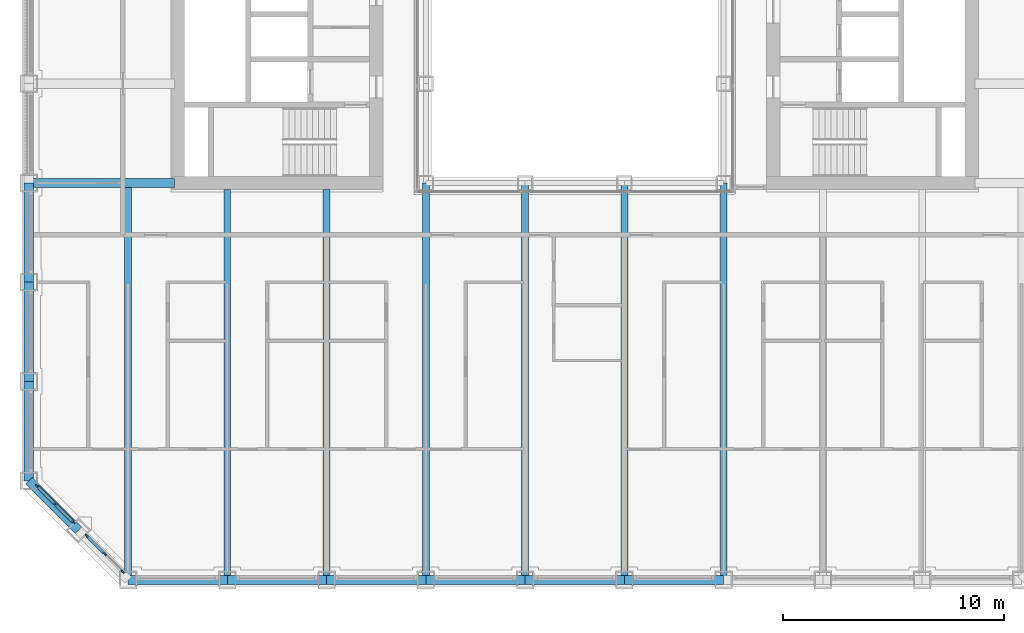
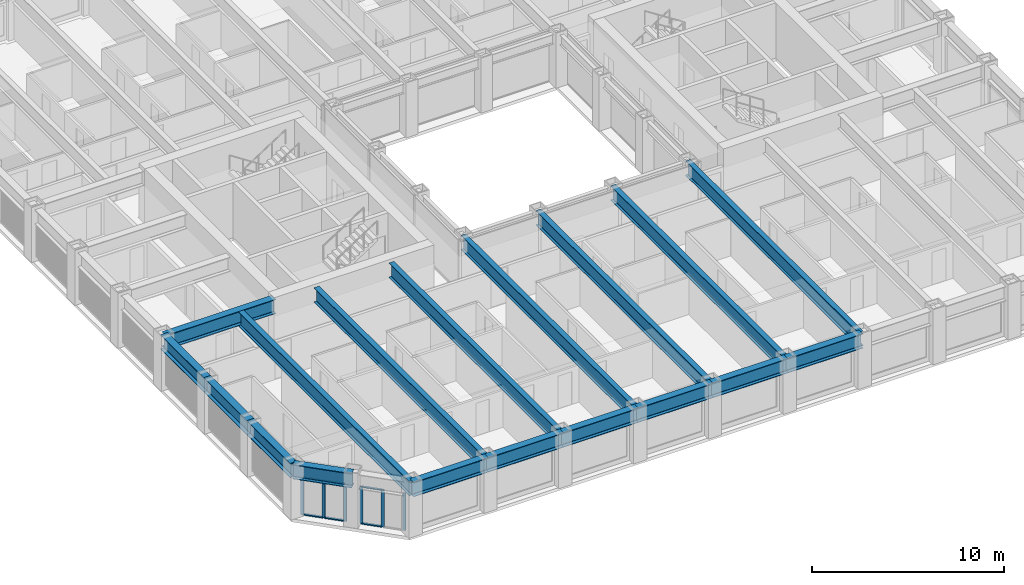
# One storey, part 2 of 21: 18 beams, 12 members, 2 elements without a shape of their own.
"""IFC4 building model written with IfcOpenShell, lengths in metres."""

import ifcopenshell
import ifcopenshell.guid

model = None  # the IFC model being written
_history = None  # IfcOwnerHistory: only IFC2X3 demands one
_inside = {}  # id of a spatial element -> (the spatial element, [elements in it])
_under = {}  # id of a project, library or spatial element -> (it, [spatial elements below it])
_declared = {}  # id of a project -> (the project, [libraries it declares])
_typed = {}  # id of a type object -> (the type object, [elements of that type])
_made_of = {}  # id of a material, layer set ... -> (it, [elements and type objects made of it])


def new_model(schema):
    """Start an empty IFC model of exactly this schema.

    Asked for "IFC4X3", IfcOpenShell would pick the latest addendum, in which some entities
    have other attributes; the version numbers below select the first issue.
    IFC2X3 requires an IfcOwnerHistory on every rooted entity: one is made here for all.
    """
    global model, _history
    if schema == "IFC4X3":
        model = ifcopenshell.file(schema_version=(4, 3, 0, 0))
    else:
        model = ifcopenshell.file(schema=schema)
    _inside.clear()
    _under.clear()
    _declared.clear()
    _typed.clear()
    _made_of.clear()
    _history = None
    if model.schema == "IFC2X3":
        org = make("IfcOrganization", Name="unknown")
        user = make(
            "IfcPersonAndOrganization",
            ThePerson=make("IfcPerson", FamilyName="unknown"),
            TheOrganization=org,
        )
        app = make(
            "IfcApplication",
            ApplicationDeveloper=org,
            Version="unknown",
            ApplicationFullName="unknown",
            ApplicationIdentifier="unknown",
        )
        _history = make(
            "IfcOwnerHistory",
            OwningUser=user,
            OwningApplication=app,
            ChangeAction="ADDED",
            CreationDate=0,
        )
    return model


def make(cls, **values):
    """One entity of the class cls with the attributes given. An attribute that is None is left unset."""
    return model.create_entity(
        cls, **{name: value for name, value in values.items() if value is not None}
    )


def rooted(cls, **values):
    """An entity with a GlobalId (a new one), such as an element, a storey or a relation."""
    return make(cls, GlobalId=ifcopenshell.guid.new(), OwnerHistory=_history, **values)


def si_unit(unit_type, name, prefix=None):
    """IfcSIUnit, for example si_unit("LENGTHUNIT", "METRE", prefix="MILLI")."""
    return make("IfcSIUnit", UnitType=unit_type, Prefix=prefix, Name=name)


def assignment(units):
    """IfcUnitAssignment: the units of a project."""
    return None if units is None else make("IfcUnitAssignment", Units=units)


def point(xyz):
    """IfcCartesianPoint."""
    return None if xyz is None else make("IfcCartesianPoint", Coordinates=xyz)


def direction(xyz):
    """IfcDirection."""
    return None if xyz is None else make("IfcDirection", DirectionRatios=xyz)


def frame(location, z_axis=None, x_axis=None):
    """IfcAxis2Placement3D, a coordinate frame: its origin and axes. An axis left out is left unset."""
    return make(
        "IfcAxis2Placement3D",
        Location=point(location),
        Axis=direction(z_axis),
        RefDirection=direction(x_axis),
    )


def frame_2d(location, x_axis=None):
    """IfcAxis2Placement2D, a coordinate frame in the plane: its origin and x axis."""
    return make(
        "IfcAxis2Placement2D", Location=point(location), RefDirection=direction(x_axis)
    )


def origin():
    """The frame at (0, 0, 0) with its axes left unset."""
    return frame((0.0, 0.0, 0.0))


def origin_2d():
    """The frame at (0, 0) in the plane with its x axis left unset."""
    return frame_2d((0.0, 0.0))


def place(relative_to, where):
    """IfcLocalPlacement: puts the frame where relative to a parent placement (None: the world)."""
    return make(
        "IfcLocalPlacement", PlacementRelTo=relative_to, RelativePlacement=where
    )


def context(
    kind, dimensions, precision=None, world=None, true_north=None, identifier=None
):
    """IfcGeometricRepresentationContext, for example the 3D "Model" context."""
    return make(
        "IfcGeometricRepresentationContext",
        ContextIdentifier=identifier,
        ContextType=kind,
        CoordinateSpaceDimension=dimensions,
        Precision=precision,
        WorldCoordinateSystem=world,
        TrueNorth=true_north,
    )


def subcontext(parent, identifier, kind, view, scale=None):
    """IfcGeometricRepresentationSubContext, for example "Body" below "Model"."""
    return make(
        "IfcGeometricRepresentationSubContext",
        ContextIdentifier=identifier,
        ContextType=kind,
        ParentContext=parent,
        TargetScale=scale,
        TargetView=view,
    )


def project(units=None, contexts=None):
    """IfcProject with its units and contexts."""
    return rooted(
        "IfcProject",
        Name="project",
        RepresentationContexts=contexts,
        UnitsInContext=assignment(units),
    )


def spatial(cls, under=None, at=None, **own):
    """A site, building, storey or space (cls), placed at a placement, below another one or the project."""
    s = rooted(cls, ObjectPlacement=at, **own)
    if under is not None:
        _under.setdefault(under.id(), (under, []))[1].append(s)
    return s


def profile(cls, at=None, kind="AREA", **sizes):
    """A parametric profile (cls). Its sizes go by their IFC names, for example OverallWidth=200.0."""
    return make(cls, ProfileType=kind, Position=at, **sizes)


def rectangle(**sizes):
    """IfcRectangleProfileDef."""
    return profile("IfcRectangleProfileDef", **sizes)


def i_section(**sizes):
    """IfcIShapeProfileDef."""
    return profile("IfcIShapeProfileDef", **sizes)


def extrude(swept, where, along, depth):
    """IfcExtrudedAreaSolid: the profile swept, set in the frame where, extruded along a direction by depth."""
    return make(
        "IfcExtrudedAreaSolid",
        SweptArea=swept,
        Position=where,
        ExtrudedDirection=direction(along),
        Depth=depth,
    )


def shape(context_of_items, identifier, shape_type, items):
    """IfcShapeRepresentation: the items that make up one representation, for example the "Body"."""
    return make(
        "IfcShapeRepresentation",
        ContextOfItems=context_of_items,
        RepresentationIdentifier=identifier,
        RepresentationType=shape_type,
        Items=items,
    )


def material(Name=None, Category=None):
    """IfcMaterial."""
    return make("IfcMaterial", Name=Name, Category=Category)


def material_profile(
    of_material, cross_section, Name=None, Category=None, Priority=None
):
    """IfcMaterialProfile: a cross section and its material."""
    return make(
        "IfcMaterialProfile",
        Name=Name,
        Material=of_material,
        Profile=cross_section,
        Priority=Priority,
        Category=Category,
    )


def profile_set(profiles, Name=None, composite=None):
    """IfcMaterialProfileSet."""
    return make(
        "IfcMaterialProfileSet",
        Name=Name,
        MaterialProfiles=profiles,
        CompositeProfile=composite,
    )


def made_of(thing, what):
    """Note that an element or type object is made of a material, layer set ...; save() writes the relation."""
    if what is not None:
        _made_of.setdefault(what.id(), (what, []))[1].append(thing)
    return thing


def type_object(cls, material=None, **own):
    """A type object (cls), such as IfcWallType, which elements share."""
    return made_of(rooted(cls, **own), material)


def element(
    cls,
    number,
    at=None,
    inside=None,
    cuts=None,
    type_object=None,
    material=None,
    context=None,
    identifier="Body",
    shape_type=None,
    held_by="IfcProductDefinitionShape",
    body=None,
    shapes=None,
    **own,
):
    """One element of the class cls, such as IfcWall. Its Tag is "e" and its number.

    at: its placement. inside: the storey or other place that contains it. cuts: it is an
    opening in that element (IfcRelVoidsElement). A single representation is given by context,
    identifier, shape_type and body (its items); several are given by shapes. held_by: the class
    of the entity that holds the representations. save() writes the other relations.
    """
    e = rooted(cls, Tag="e%d" % number, ObjectPlacement=at, **own)
    if body is not None:
        shapes = [shape(context, identifier, shape_type, body)]
    if shapes is not None:
        e.Representation = make(held_by, Representations=shapes)
    if inside is not None:
        _inside.setdefault(inside.id(), (inside, []))[1].append(e)
    if cuts is not None:
        rooted(
            "IfcRelVoidsElement", RelatingBuildingElement=cuts, RelatedOpeningElement=e
        )
    if type_object is not None:
        _typed.setdefault(type_object.id(), (type_object, []))[1].append(e)
    return made_of(e, material)


def aggregate(whole, parts):
    """IfcRelAggregates: a whole, such as a stair, and the parts it consists of."""
    return rooted("IfcRelAggregates", RelatingObject=whole, RelatedObjects=parts)


def save(model, path):
    """Write the relations noted so far, then the file.

    IfcRelAggregates (storeys below a building ...), IfcRelContainedInSpatialStructure (elements
    in a storey), IfcRelDefinesByType, IfcRelAssociatesMaterial and IfcRelDeclares: one each for
    every whole, place, type object, material and project.
    """
    for whole, parts in _under.values():
        aggregate(whole, parts)
    for where, things in _inside.values():
        rooted(
            "IfcRelContainedInSpatialStructure",
            RelatedElements=things,
            RelatingStructure=where,
        )
    for kind, things in _typed.values():
        rooted("IfcRelDefinesByType", RelatedObjects=things, RelatingType=kind)
    for what, things in _made_of.values():
        rooted("IfcRelAssociatesMaterial", RelatedObjects=things, RelatingMaterial=what)
    for by, libraries in _declared.values():
        rooted("IfcRelDeclares", RelatingContext=by, RelatedDefinitions=libraries)
    model.write(path)


model = new_model("IFC4")

# Units and contexts
model_context = context("Model", 3, precision=1e-05, world=origin(), true_north=direction((0.0, 1.0)))
body_context = subcontext(model_context, "Body", "Model", "MODEL_VIEW")
ifc_project = project(units=[si_unit("LENGTHUNIT", "METRE"), si_unit("AREAUNIT", "SQUARE_METRE"), si_unit("VOLUMEUNIT", "CUBIC_METRE"), si_unit("PLANEANGLEUNIT", "RADIAN"), si_unit("MASSUNIT", "GRAM", prefix="KILO")], contexts=[model_context])

# Site, building, storey
site_placement = place(None, origin())
site = spatial("IfcSite", under=ifc_project, at=site_placement, CompositionType="ELEMENT")
building_placement = place(site_placement, origin())
building = spatial("IfcBuilding", under=site, at=building_placement, Name="Msasa Ring Tower", CompositionType="ELEMENT")
storey_placement = place(building_placement, frame((0.0, 0.0, 68.5)))
storey = spatial("IfcBuildingStorey", under=building, at=storey_placement, Name="L17", CompositionType="ELEMENT", Elevation=68.5)

# Curtain wall, members
ifc_material_1 = material(Name="Aluminium curtain wall with clear glass", Category="aluminium")
curtain_wall_type = type_object("IfcCurtainWallType", Name="CW-C CHAMFER CORNER CURTAIN WALL", PredefinedType="NOTDEFINED", material=ifc_material_1)
curtain_wall_1_placement = place(storey_placement, origin())
curtain_wall_1 = element("IfcCurtainWall", 1, at=curtain_wall_1_placement, inside=storey, type_object=curtain_wall_type, Name="Chamfer corner curtain wall SW L17", PredefinedType="NOTDEFINED")
ifc_material_2 = material(Name="Aluminium mullion", Category="aluminium")
ifc_material_profile_1 = material_profile(ifc_material_2, rectangle(XDim=0.06494140625, YDim=0.179931640625, at=origin_2d()), Name="AL 65x180")
ifc_profile_set_1 = profile_set([ifc_material_profile_1], Name="Aluminium mullion")
member_type_1 = type_object("IfcMemberType", Name="CW-C MULLION 65x180", PredefinedType="MULLION", material=ifc_profile_set_1)
member_1_placement = place(storey_placement, frame((-24.369873046875, -20.48876953125, 0.0), z_axis=(0.0, 0.0, 1.0), x_axis=(0.707106781187, 0.707106781187, 0.0)))
member_1 = element("IfcMember", 2, at=member_1_placement, type_object=member_type_1, Name="CW-C mullion 1", PredefinedType="MULLION", context=body_context, shape_type="SweptSolid", body=[
    extrude(rectangle(XDim=0.06494140625, YDim=0.179931640625, at=origin_2d()), origin(), (0.0, 0.0, 1.0), 2.37890625),
])
member_2_placement = place(storey_placement, frame((-23.55419921875, -21.30419921875, 0.0), z_axis=(0.0, 0.0, 1.0), x_axis=(0.707106781187, 0.707106781187, 0.0)))
member_2 = element("IfcMember", 3, at=member_2_placement, type_object=member_type_1, Name="CW-C mullion 2", PredefinedType="MULLION", context=body_context, shape_type="SweptSolid", body=[
    extrude(rectangle(XDim=0.06494140625, YDim=0.179931640625, at=origin_2d()), origin(), (0.0, 0.0, 1.0), 2.37890625),
])
member_3_placement = place(storey_placement, frame((-22.73876953125, -22.119873046875, 0.0), z_axis=(0.0, 0.0, 1.0), x_axis=(0.707106781187, 0.707106781187, 0.0)))
member_3 = element("IfcMember", 4, at=member_3_placement, type_object=member_type_1, Name="CW-C mullion 3", PredefinedType="MULLION", context=body_context, shape_type="SweptSolid", body=[
    extrude(rectangle(XDim=0.06494140625, YDim=0.179931640625, at=origin_2d()), origin(), (0.0, 0.0, 1.0), 2.37890625),
])

curtain_wall_2_placement = place(storey_placement, origin())
curtain_wall_2 = element("IfcCurtainWall", 5, at=curtain_wall_2_placement, inside=storey, type_object=curtain_wall_type, Name="Chamfer corner curtain wall SW L17", PredefinedType="NOTDEFINED")
member_4_placement = place(storey_placement, frame((-22.119873046875, -22.73876953125, 0.0), z_axis=(0.0, 0.0, 1.0), x_axis=(0.707106781187, 0.707106781187, 0.0)))
member_4 = element("IfcMember", 6, at=member_4_placement, type_object=member_type_1, Name="CW-C mullion 1", PredefinedType="MULLION", context=body_context, shape_type="SweptSolid", body=[
    extrude(rectangle(XDim=0.06494140625, YDim=0.179931640625, at=origin_2d()), origin(), (0.0, 0.0, 1.0), 2.37890625),
])
member_5_placement = place(storey_placement, frame((-21.30419921875, -23.55419921875, 0.0), z_axis=(0.0, 0.0, 1.0), x_axis=(0.707106781187, 0.707106781187, 0.0)))
member_5 = element("IfcMember", 7, at=member_5_placement, type_object=member_type_1, Name="CW-C mullion 2", PredefinedType="MULLION", context=body_context, shape_type="SweptSolid", body=[
    extrude(rectangle(XDim=0.06494140625, YDim=0.179931640625, at=origin_2d()), origin(), (0.0, 0.0, 1.0), 2.37890625),
])
member_6_placement = place(storey_placement, frame((-20.48876953125, -24.369873046875, 0.0), z_axis=(0.0, 0.0, 1.0), x_axis=(0.707106781187, 0.707106781187, 0.0)))
member_6 = element("IfcMember", 8, at=member_6_placement, type_object=member_type_1, Name="CW-C mullion 3", PredefinedType="MULLION", context=body_context, shape_type="SweptSolid", body=[
    extrude(rectangle(XDim=0.06494140625, YDim=0.179931640625, at=origin_2d()), origin(), (0.0, 0.0, 1.0), 2.37890625),
])

# Member
ifc_material_3 = material(Name="Aluminium transom", Category="aluminium")
ifc_material_profile_2 = material_profile(ifc_material_3, rectangle(XDim=0.139892578125, YDim=0.06494140625, at=origin_2d()), Name="AL 65x140")
ifc_profile_set_2 = profile_set([ifc_material_profile_2], Name="Aluminium transom")
member_type_2 = type_object("IfcMemberType", Name="CW-C TRANSOM 65x140", PredefinedType="USERDEFINED", material=ifc_profile_set_2)
member_7_placement = place(storey_placement, frame((-24.346923828125, -20.51171875, 0.032470703125), z_axis=(0.707106781187, -0.707106781187, 0.0), x_axis=(0.707106781187, 0.707106781187, 0.0)))
member_7 = element("IfcMember", 9, at=member_7_placement, type_object=member_type_2, Name="CW-C transom 1.1", ObjectType="TRANSOM", PredefinedType="USERDEFINED", context=body_context, shape_type="SweptSolid", body=[
    extrude(rectangle(XDim=0.139892578125, YDim=0.06494140625, at=origin_2d()), origin(), (0.0, 0.0, 1.0), 1.08837890625),
])

member_8_placement = place(storey_placement, frame((-24.346923828125, -20.51171875, 2.346435546875), z_axis=(0.707106781187, -0.707106781187, 0.0), x_axis=(0.707106781187, 0.707106781187, 0.0)))
member_8 = element("IfcMember", 10, at=member_8_placement, type_object=member_type_2, Name="CW-C transom 1.2", ObjectType="TRANSOM", PredefinedType="USERDEFINED", context=body_context, shape_type="SweptSolid", body=[
    extrude(rectangle(XDim=0.139892578125, YDim=0.06494140625, at=origin_2d()), origin(), (0.0, 0.0, 1.0), 1.08837890625),
])

member_9_placement = place(storey_placement, frame((-23.53125, -21.327392578125, 0.032470703125), z_axis=(0.707106781187, -0.707106781187, 0.0), x_axis=(0.707106781187, 0.707106781187, 0.0)))
member_9 = element("IfcMember", 11, at=member_9_placement, type_object=member_type_2, Name="CW-C transom 2.1", ObjectType="TRANSOM", PredefinedType="USERDEFINED", context=body_context, shape_type="SweptSolid", body=[
    extrude(rectangle(XDim=0.139892578125, YDim=0.06494140625, at=origin_2d()), origin(), (0.0, 0.0, 1.0), 1.08837890625),
])

member_10_placement = place(storey_placement, frame((-23.53125, -21.327392578125, 2.346435546875), z_axis=(0.707106781187, -0.707106781187, 0.0), x_axis=(0.707106781187, 0.707106781187, 0.0)))
member_10 = element("IfcMember", 12, at=member_10_placement, type_object=member_type_2, Name="CW-C transom 2.2", ObjectType="TRANSOM", PredefinedType="USERDEFINED", context=body_context, shape_type="SweptSolid", body=[
    extrude(rectangle(XDim=0.139892578125, YDim=0.06494140625, at=origin_2d()), origin(), (0.0, 0.0, 1.0), 1.08837890625),
])

aggregate(curtain_wall_1, [member_1, member_2, member_3, member_7, member_8, member_9, member_10])

member_11_placement = place(storey_placement, frame((-22.096923828125, -22.76171875, 0.032470703125), z_axis=(0.707106781187, -0.707106781187, 0.0), x_axis=(0.707106781187, 0.707106781187, 0.0)))
member_11 = element("IfcMember", 13, at=member_11_placement, type_object=member_type_2, Name="CW-C transom 1.1", ObjectType="TRANSOM", PredefinedType="USERDEFINED", context=body_context, shape_type="SweptSolid", body=[
    extrude(rectangle(XDim=0.139892578125, YDim=0.06494140625, at=origin_2d()), origin(), (0.0, 0.0, 1.0), 1.08837890625),
])

member_12_placement = place(storey_placement, frame((-22.096923828125, -22.76171875, 2.346435546875), z_axis=(0.707106781187, -0.707106781187, 0.0), x_axis=(0.707106781187, 0.707106781187, 0.0)))
member_12 = element("IfcMember", 14, at=member_12_placement, type_object=member_type_2, Name="CW-C transom 1.2", ObjectType="TRANSOM", PredefinedType="USERDEFINED", context=body_context, shape_type="SweptSolid", body=[
    extrude(rectangle(XDim=0.139892578125, YDim=0.06494140625, at=origin_2d()), origin(), (0.0, 0.0, 1.0), 1.08837890625),
])

aggregate(curtain_wall_2, [member_4, member_5, member_6, member_11, member_12])

# Beams
ifc_material_4 = material(Name="Steel S355", Category="steel")
ifc_material_profile_3 = material_profile(ifc_material_4, i_section(OverallWidth=0.3076171875, OverallDepth=0.926513671875, WebThickness=0.01953125, FlangeThickness=0.031982421875, FilletRadius=0.01904296875, at=origin_2d()), Name="UB 914x305x289")
ifc_profile_set_3 = profile_set([ifc_material_profile_3], Name="Steel S355")
beam_type_1 = type_object("IfcBeamType", Name="FB3 UB 914x305x289", PredefinedType="BEAM", material=ifc_profile_set_3)
beam_1_placement = place(storey_placement, frame((-20.25, -24.75, 2.836669921875), z_axis=(0.0, 1.0, 0.0), x_axis=(-1.0, 0.0, 0.0)))
element("IfcBeam", 15, at=beam_1_placement, inside=storey, type_object=beam_type_1, Name="Floor beam S-20.25 under L18", PredefinedType="BEAM", context=body_context, shape_type="SweptSolid", body=[
    extrude(i_section(OverallWidth=0.3076171875, OverallDepth=0.926513671875, WebThickness=0.01953125, FlangeThickness=0.031982421875, FilletRadius=0.01904296875, at=origin_2d()), origin(), (0.0, 0.0, 1.0), 17.789794921875),
])
for number, where, z_axis, x_axis, name in (
    (16, (-15.75, -24.75, 2.836669921875), (0.0, 1.0, 0.0), (-1.0, 0.0, 0.0), "Floor beam S-15.75 under L18"),
    (17, (-11.25, -24.75, 2.836669921875), (0.0, 1.0, 0.0), (-1.0, 0.0, 0.0), "Floor beam S-11.25 under L18"),
):
    element("IfcBeam", number, at=place(storey_placement, frame(where, z_axis=z_axis, x_axis=x_axis)), inside=storey, type_object=beam_type_1, Name=name, PredefinedType="BEAM", context=body_context, shape_type="SweptSolid", body=[
        extrude(i_section(OverallWidth=0.3076171875, OverallDepth=0.926513671875, WebThickness=0.01953125, FlangeThickness=0.031982421875, FilletRadius=0.01904296875, at=origin_2d()), origin(), (0.0, 0.0, 1.0), 17.699951171875),
    ])
for number, where, z_axis, x_axis, name in (
    (18, (-6.75, -24.75, 2.836669921875), (0.0, 1.0, 0.0), (-1.0, 0.0, 0.0), "Floor beam S-6.75 under L18"),
    (19, (-2.25, -24.75, 2.836669921875), (0.0, 1.0, 0.0), (-1.0, 0.0, 0.0), "Floor beam S-2.25 under L18"),
    (20, (2.25, -24.75, 2.836669921875), (0.0, 1.0, 0.0), (-1.0, 0.0, 0.0), "Floor beam S+2.25 under L18"),
    (21, (6.75, -24.75, 2.836669921875), (0.0, 1.0, 0.0), (-1.0, 0.0, 0.0), "Floor beam S+6.75 under L18"),
):
    element("IfcBeam", number, at=place(storey_placement, frame(where, z_axis=z_axis, x_axis=x_axis)), inside=storey, type_object=beam_type_1, Name=name, PredefinedType="BEAM", context=body_context, shape_type="SweptSolid", body=[
        extrude(i_section(OverallWidth=0.3076171875, OverallDepth=0.926513671875, WebThickness=0.01953125, FlangeThickness=0.031982421875, FilletRadius=0.01904296875, at=origin_2d()), origin(), (0.0, 0.0, 1.0), 18.0),
    ])
ifc_material_5 = material(Name="Steel S355", Category="steel")
ifc_material_profile_4 = material_profile(ifc_material_5, i_section(OverallWidth=0.42041015625, OverallDepth=0.9208984375, WebThickness=0.021484375, FlangeThickness=0.03662109375, FilletRadius=0.024169921875, at=origin_2d()), Name="UB 914x419x388")
ifc_profile_set_4 = profile_set([ifc_material_profile_4], Name="Steel S355")
beam_type_2 = type_object("IfcBeamType", Name="GB1 UB 914x419x388", PredefinedType="BEAM", material=ifc_profile_set_4)
beam_2_placement = place(storey_placement, frame((-18.14990234375, -6.75, 2.839599609375), z_axis=(-1.0, 0.0, 0.0), x_axis=(0.0, -1.0, 0.0)))
element("IfcBeam", 22, at=beam_2_placement, inside=storey, type_object=beam_type_2, Name="Girder W -6.75 under L18", PredefinedType="BEAM", context=body_context, shape_type="SweptSolid", body=[
    extrude(i_section(OverallWidth=0.42041015625, OverallDepth=0.9208984375, WebThickness=0.021484375, FlangeThickness=0.03662109375, FilletRadius=0.024169921875, at=origin_2d()), origin(), (0.0, 0.0, 1.0), 6.60009765625),
])
ifc_material_6 = material(Name="Steel S355", Category="steel")
ifc_material_profile_5 = material_profile(ifc_material_6, i_section(OverallWidth=0.42041015625, OverallDepth=0.9208984375, WebThickness=0.021484375, FlangeThickness=0.03662109375, FilletRadius=0.024169921875, at=origin_2d()), Name="UB 914x419x388")
ifc_profile_set_5 = profile_set([ifc_material_profile_5], Name="Steel S355")
beam_type_3 = type_object("IfcBeamType", Name="SB1 UB 914x419x388", PredefinedType="SPANDREL", material=ifc_profile_set_5)
for number, where, z_axis, x_axis, name in (
    (23, (-24.75, -6.75, 2.839599609375), (0.0, -1.0, 0.0), (1.0, 0.0, 0.0), "Spandrel W-6.75 to W-11.25 under L18"),
    (24, (-24.75, -11.25, 2.839599609375), (0.0, -1.0, 0.0), (1.0, 0.0, 0.0), "Spandrel W-11.25 to W-15.75 under L18"),
    (25, (-24.75, -15.75, 2.839599609375), (0.0, -1.0, 0.0), (1.0, 0.0, 0.0), "Spandrel W-15.75 to W-20.25 under L18"),
):
    element("IfcBeam", number, at=place(storey_placement, frame(where, z_axis=z_axis, x_axis=x_axis)), inside=storey, type_object=beam_type_3, Name=name, PredefinedType="SPANDREL", context=body_context, shape_type="SweptSolid", body=[
        extrude(i_section(OverallWidth=0.42041015625, OverallDepth=0.9208984375, WebThickness=0.021484375, FlangeThickness=0.03662109375, FilletRadius=0.024169921875, at=origin_2d()), origin(), (0.0, 0.0, 1.0), 4.5),
    ])
beam_3_placement = place(storey_placement, frame((-24.75, -20.25, 2.839599609375), z_axis=(0.707106781187, -0.707106781187, 0.0), x_axis=(0.707106781187, 0.707106781187, 0.0)))
element("IfcBeam", 26, at=beam_3_placement, inside=storey, type_object=beam_type_3, Name="Spandrel W-20.25 to SW under L18", PredefinedType="SPANDREL", context=body_context, shape_type="SweptSolid", body=[
    extrude(i_section(OverallWidth=0.42041015625, OverallDepth=0.9208984375, WebThickness=0.021484375, FlangeThickness=0.03662109375, FilletRadius=0.024169921875, at=origin_2d()), origin(), (0.0, 0.0, 1.0), 3.181884765625),
])
for number, where, z_axis, x_axis, name in (
    (27, (-20.25, -24.75, 2.839599609375), (1.0, 0.0, 0.0), (0.0, 1.0, 0.0), "Spandrel S-20.25 to S-15.75 under L18"),
    (28, (-15.75, -24.75, 2.839599609375), (1.0, 0.0, 0.0), (0.0, 1.0, 0.0), "Spandrel S-15.75 to S-11.25 under L18"),
    (29, (-11.25, -24.75, 2.839599609375), (1.0, 0.0, 0.0), (0.0, 1.0, 0.0), "Spandrel S-11.25 to S-6.75 under L18"),
    (30, (-6.75, -24.75, 2.839599609375), (1.0, 0.0, 0.0), (0.0, 1.0, 0.0), "Spandrel S-6.75 to S-2.25 under L18"),
    (31, (-2.25, -24.75, 2.839599609375), (1.0, 0.0, 0.0), (0.0, 1.0, 0.0), "Spandrel S-2.25 to S+2.25 under L18"),
    (32, (2.25, -24.75, 2.839599609375), (1.0, 0.0, 0.0), (0.0, 1.0, 0.0), "Spandrel S+2.25 to S+6.75 under L18"),
):
    element("IfcBeam", number, at=place(storey_placement, frame(where, z_axis=z_axis, x_axis=x_axis)), inside=storey, type_object=beam_type_3, Name=name, PredefinedType="SPANDREL", context=body_context, shape_type="SweptSolid", body=[
        extrude(i_section(OverallWidth=0.42041015625, OverallDepth=0.9208984375, WebThickness=0.021484375, FlangeThickness=0.03662109375, FilletRadius=0.024169921875, at=origin_2d()), origin(), (0.0, 0.0, 1.0), 4.5),
    ])

save(model, "model.ifc")
